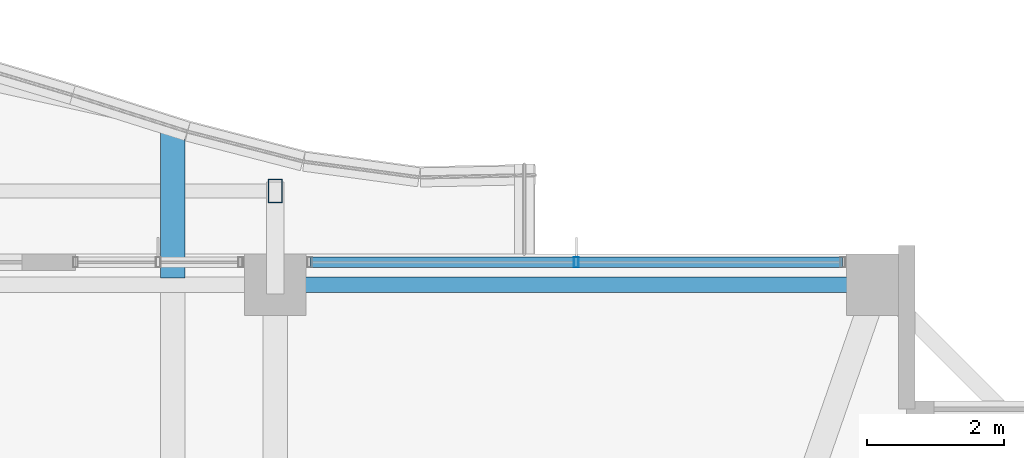
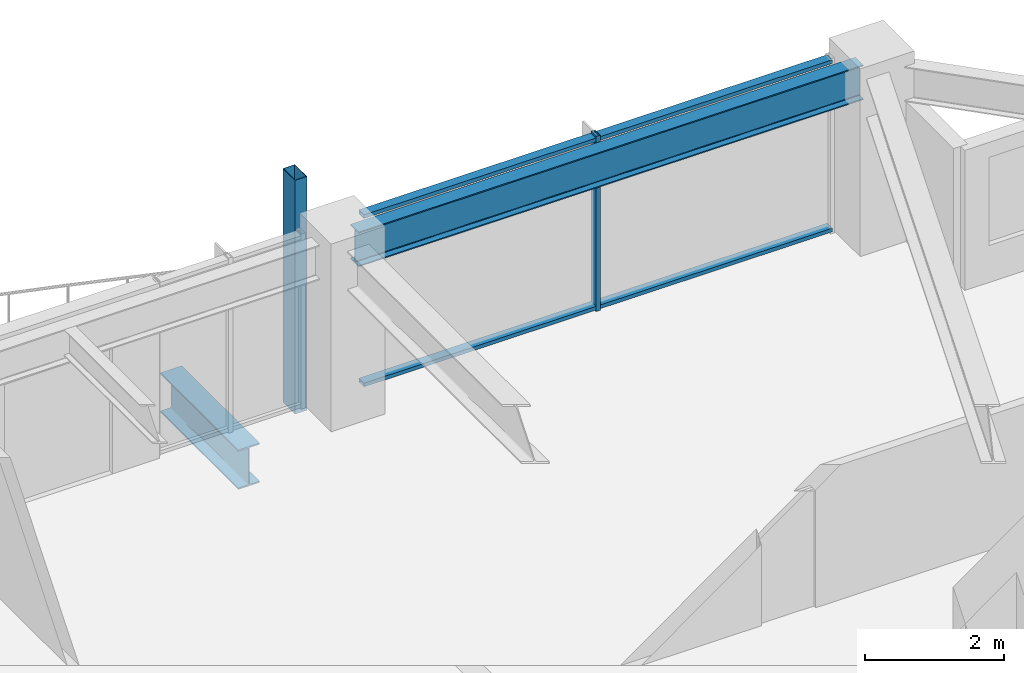
# One storey, part 21 of 37: 4 members, 2 beams, 1 element without a shape of its own.
"""IFC4 building model written with IfcOpenShell, lengths in metres."""

from ifc_helpers import new_model, si_unit, direction, frame, origin, origin_2d, place, context, subcontext, project, spatial, hollow_rectangle, i_section, extrude, material, material_profile, profile_set, type_object, element, aggregate, save


model = new_model("IFC4")

# Units and contexts
model_context = context("Model", 3, precision=1e-05, world=origin(), true_north=direction((0.0, 1.0)))
body_context = subcontext(model_context, "Body", "Model", "MODEL_VIEW")
ifc_project = project(units=[si_unit("LENGTHUNIT", "METRE"), si_unit("AREAUNIT", "SQUARE_METRE"), si_unit("VOLUMEUNIT", "CUBIC_METRE"), si_unit("PLANEANGLEUNIT", "RADIAN"), si_unit("MASSUNIT", "GRAM", prefix="KILO")], contexts=[model_context])

# Site, building, storey
site_placement = place(None, origin())
site = spatial("IfcSite", under=ifc_project, at=site_placement, CompositionType="ELEMENT")
building_placement = place(site_placement, origin())
building = spatial("IfcBuilding", under=site, at=building_placement, Name="Kolvaren Belvedere", CompositionType="ELEMENT")
storey_placement = place(building_placement, frame((0.0, 0.0, 173.39990234375)))
storey = spatial("IfcBuildingStorey", under=building, at=storey_placement, Name="L50", CompositionType="ELEMENT", Elevation=173.39990234375)

# Beams
ifc_material_1 = material(Name="Structural steel ASTM A992 Grade 50", Category="steel")
ifc_material_profile_1 = material_profile(ifc_material_1, i_section(OverallWidth=0.35498046875, OverallDepth=0.696044921875, WebThickness=0.015380859375, FlangeThickness=0.02490234375, FilletRadius=0.02197265625, at=origin_2d()), Name="W27X146")
ifc_profile_set_1 = profile_set([ifc_material_profile_1], Name="Structural steel ASTM A992 Grade 50")
beam_type_1 = type_object("IfcBeamType", Name="BM-CANT-BAL", PredefinedType="BEAM", material=ifc_profile_set_1)
beam_1_placement = place(storey_placement, frame((3.10009765625, 20.044921875, -0.56787109375), z_axis=(0.0, 1.0, 0.0), x_axis=(-1.0, 0.0, 0.0)))
element("IfcBeam", 1, at=beam_1_placement, inside=storey, type_object=beam_type_1, Name="L50 Planted Balcony Cantilever BAL-N-2", PredefinedType="BEAM", context=body_context, shape_type="SweptSolid", body=[
    extrude(i_section(OverallWidth=0.35498046875, OverallDepth=0.696044921875, WebThickness=0.015380859375, FlangeThickness=0.02490234375, FilletRadius=0.02197265625, at=origin_2d()), origin(), (0.0, 0.0, 1.0), 2.239990234375),
])
ifc_material_2 = material(Name="Structural steel ASTM A992 Grade 50", Category="steel")
ifc_material_profile_2 = material_profile(ifc_material_2, i_section(OverallWidth=0.22900390625, OverallDepth=0.612060546875, WebThickness=0.011962890625, FlangeThickness=0.01953125, FilletRadius=0.01806640625, at=origin_2d()), Name="W24X84")
ifc_profile_set_2 = profile_set([ifc_material_profile_2], Name="Structural steel ASTM A992 Grade 50")
beam_type_2 = type_object("IfcBeamType", Name="BM-SPAN-W24X84", PredefinedType="SPANDREL", material=ifc_profile_set_2)
beam_2_placement = place(storey_placement, frame((13.197509765625, 19.949951171875, 2.774169921875), z_axis=(-1.0, 0.0, 0.0), x_axis=(0.0, -1.0, 0.0)))
element("IfcBeam", 2, at=beam_2_placement, inside=storey, type_object=beam_type_2, Name="L50 Perimeter Spandrel N4-N3", PredefinedType="SPANDREL", context=body_context, shape_type="SweptSolid", body=[
    extrude(i_section(OverallWidth=0.22900390625, OverallDepth=0.612060546875, WebThickness=0.011962890625, FlangeThickness=0.01953125, FilletRadius=0.01806640625, at=origin_2d()), origin(), (0.0, 0.0, 1.0), 8.39501953125),
])

# Curtain wall, members
ifc_material_3 = material(Name="Anodised pale-metal aluminium AA 6063-T6", Category="aluminium")
curtain_wall_type = type_object("IfcCurtainWallType", Name="CW-Z5-HIGH", PredefinedType="NOTDEFINED", material=ifc_material_3)
curtain_wall_placement = place(storey_placement, origin())
curtain_wall = element("IfcCurtainWall", 3, at=curtain_wall_placement, inside=storey, type_object=curtain_wall_type, Name="L50 Unitised Curtain Wall FCW-L50-N2-B2", PredefinedType="NOTDEFINED")
ifc_material_4 = material(Name="Anodised pale-metal aluminium AA 6063-T6", Category="aluminium")
ifc_material_profile_3 = material_profile(ifc_material_4, hollow_rectangle(XDim=0.070068359375, YDim=0.14990234375, WallThickness=0.004150390625, at=origin_2d()), Name="ALU-MUL-150X70")
ifc_profile_set_3 = profile_set([ifc_material_profile_3], Name="Anodised pale-metal aluminium AA 6063-T6")
member_type_1 = type_object("IfcMemberType", Name="CW-MUL-150", PredefinedType="MULLION", material=ifc_profile_set_3)
member_1_placement = place(storey_placement, frame((9.0, 20.280029296875, 0.0), z_axis=(0.0, 0.0, 1.0), x_axis=(1.0, 0.0, 0.0)))
member_1 = element("IfcMember", 4, at=member_1_placement, type_object=member_type_1, Name="FCW-L50-N2-B2 Unitised Mullion 2", PredefinedType="MULLION", context=body_context, shape_type="SweptSolid", body=[
    extrude(hollow_rectangle(XDim=0.070068359375, YDim=0.14990234375, WallThickness=0.004150390625, at=origin_2d()), origin(), (0.0, 0.0, 1.0), 3.080078125),
])
ifc_material_5 = material(Name="Anodised pale-metal aluminium AA 6063-T6", Category="aluminium")
ifc_material_profile_4 = material_profile(ifc_material_5, hollow_rectangle(XDim=0.06494140625, YDim=0.14990234375, WallThickness=0.00390625, at=origin_2d()), Name="ALU-TRN-150X65")
ifc_profile_set_4 = profile_set([ifc_material_profile_4], Name="Anodised pale-metal aluminium AA 6063-T6")
member_type_2 = type_object("IfcMemberType", Name="CW-TRN-150", PredefinedType="USERDEFINED", material=ifc_profile_set_4)
member_2_placement = place(storey_placement, frame((5.10498046875, 20.280029296875, 0.06005859375), z_axis=(1.0, 0.0, 0.0), x_axis=(0.0, 0.0, 1.0)))
member_2 = element("IfcMember", 5, at=member_2_placement, type_object=member_type_2, Name="FCW-L50-N2-B2 Sill Transom", ObjectType="TRANSOM", PredefinedType="USERDEFINED", context=body_context, shape_type="SweptSolid", body=[
    extrude(hollow_rectangle(XDim=0.06494140625, YDim=0.14990234375, WallThickness=0.00390625, at=origin_2d()), origin(), (0.0, 0.0, 1.0), 7.7900390625),
])
member_3_placement = place(storey_placement, frame((5.10498046875, 20.280029296875, 3.02001953125), z_axis=(1.0, 0.0, 0.0), x_axis=(0.0, 0.0, 1.0)))
member_3 = element("IfcMember", 6, at=member_3_placement, type_object=member_type_2, Name="FCW-L50-N2-B2 Head Transom", ObjectType="TRANSOM", PredefinedType="USERDEFINED", context=body_context, shape_type="SweptSolid", body=[
    extrude(hollow_rectangle(XDim=0.06494140625, YDim=0.14990234375, WallThickness=0.00390625, at=origin_2d()), origin(), (0.0, 0.0, 1.0), 7.7900390625),
])
aggregate(curtain_wall, [member_1, member_2, member_3])

# Member
ifc_material_6 = material(Name="Anodised pale-metal aluminium AA 6063-T6", Category="aluminium")
ifc_material_profile_5 = material_profile(ifc_material_6, hollow_rectangle(XDim=0.199951171875, YDim=0.35009765625, WallThickness=0.007568359375, at=origin_2d()), Name="ALU-PF-350X200")
ifc_profile_set_5 = profile_set([ifc_material_profile_5], Name="Anodised pale-metal aluminium AA 6063-T6")
member_type_3 = type_object("IfcMemberType", Name="PF-FRAME-350", PredefinedType="USERDEFINED", material=ifc_profile_set_5)
member_4_placement = place(storey_placement, frame((4.60009765625, 21.320068359375, -0.809814453125), z_axis=(0.0, 0.0, 1.0), x_axis=(1.0, 0.0, 0.0)))
element("IfcMember", 7, at=member_4_placement, inside=storey, type_object=member_type_3, Name="L50 Outboard Picture-Frame Vertical N2", ObjectType="PICTURE FRAME FIN", PredefinedType="USERDEFINED", context=body_context, shape_type="SweptSolid", body=[
    extrude(hollow_rectangle(XDim=0.199951171875, YDim=0.35009765625, WallThickness=0.007568359375, at=origin_2d()), origin(), (0.0, 0.0, 1.0), 4.10986328125),
])

save(model, "model.ifc")
